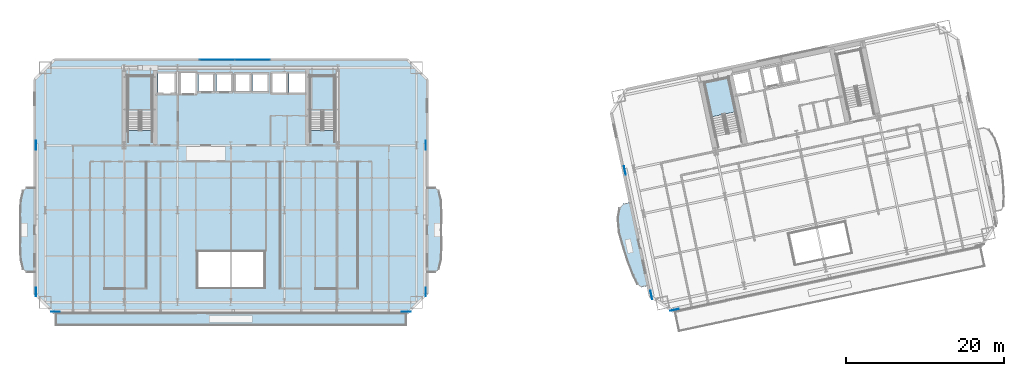
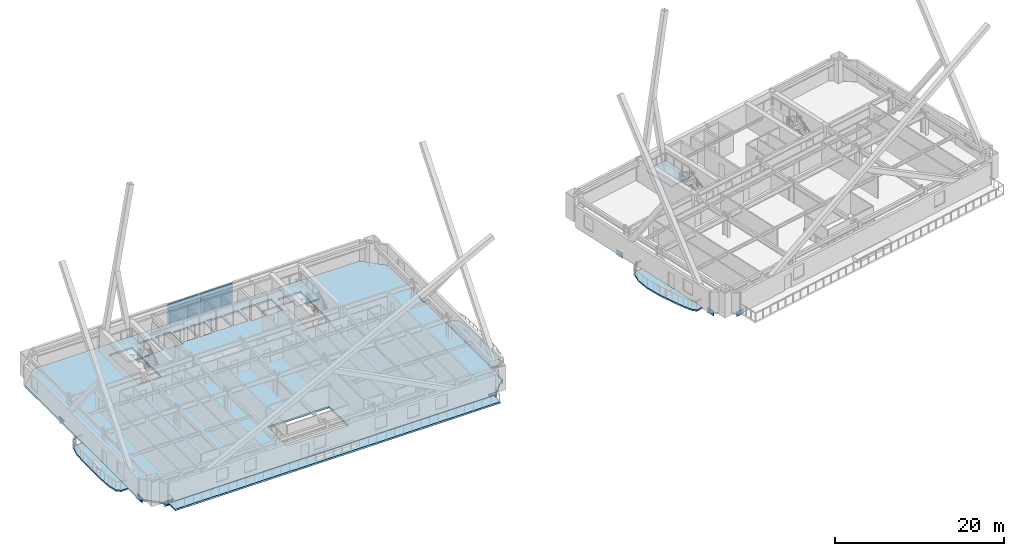
# One storey, part 8 of 22: 13 plates, 8 slabs, 4 elements without a shape of their own.
"""IFC4 building model written with IfcOpenShell, lengths in metres."""

from ifc_helpers import new_model, si_unit, direction, frame, origin, origin_2d, place, context, subcontext, project, spatial, polyline, rectangle, outline, extrude, material, layer, layer_set, type_object, element, aggregate, save


model = new_model("IFC4")

# Units and contexts
model_context = context("Model", 3, precision=1e-05, world=origin(), true_north=direction((0.0, 1.0)))
body_context = subcontext(model_context, "Body", "Model", "MODEL_VIEW")
ifc_project = project(units=[si_unit("LENGTHUNIT", "METRE"), si_unit("AREAUNIT", "SQUARE_METRE"), si_unit("VOLUMEUNIT", "CUBIC_METRE"), si_unit("PLANEANGLEUNIT", "RADIAN"), si_unit("MASSUNIT", "GRAM", prefix="KILO")], contexts=[model_context])

# Site, building, storey
site_placement = place(None, origin())
site = spatial("IfcSite", under=ifc_project, at=site_placement, CompositionType="ELEMENT")
building_placement = place(site_placement, origin())
building = spatial("IfcBuilding", under=site, at=building_placement, Name="Haevon Station Towers", CompositionType="ELEMENT")
storey_placement = place(building_placement, frame((0.0, 0.0, 70.199951171875)))
storey = spatial("IfcBuildingStorey", under=building, at=storey_placement, Name="L18", CompositionType="ELEMENT", Elevation=70.199951171875)

# Curtain wall, plates
ifc_material_1 = material(Name="Anodised aluminium and Low-E double glazing", Category="aluminium")
ifc_layer_1 = layer(ifc_material_1, 0.179931640625)
ifc_layer_set_1 = layer_set([ifc_layer_1], Name="Anodised aluminium and Low-E double glazing")
curtain_wall_type = type_object("IfcCurtainWallType", Name="CW-SYS4", PredefinedType="NOTDEFINED", material=ifc_layer_set_1)
curtain_wall_placement = place(storey_placement, origin())
curtain_wall = element("IfcCurtainWall", 1, at=curtain_wall_placement, inside=storey, type_object=curtain_wall_type, Name="L18 Curtain Wall CW-T1-L18-N", PredefinedType="NOTDEFINED")
ifc_material_2 = material(Name="Low-E double glazing", Category="glass")
ifc_layer_2 = layer(ifc_material_2, 0.028076171875)
ifc_layer_set_2 = layer_set([ifc_layer_2], Name="Low-E double glazing")
plate_type_1 = type_object("IfcPlateType", Name="CWP-GLZ28", PredefinedType="CURTAIN_PANEL", material=ifc_layer_set_2)
plate_1_placement = place(storey_placement, frame((35.766357421875, 49.0, 0.06005859375), z_axis=(0.0, 0.0, 1.0), x_axis=(1.0, 0.0, 0.0)))
plate_1 = element("IfcPlate", 2, at=plate_1_placement, type_object=plate_type_1, Name="CW-SYS4 panel 1.1", PredefinedType="CURTAIN_PANEL", context=body_context, shape_type="SweptSolid", body=[
    extrude(rectangle(XDim=4.402587890625, YDim=0.028076171875, at=origin_2d()), origin(), (0.0, 0.0, 1.0), 1.77001953125),
])
plate_2_placement = place(storey_placement, frame((35.766357421875, 49.0, 1.89013671875), z_axis=(0.0, 0.0, 1.0), x_axis=(1.0, 0.0, 0.0)))
plate_2 = element("IfcPlate", 3, at=plate_2_placement, type_object=plate_type_1, Name="CW-SYS4 panel 1.2", PredefinedType="CURTAIN_PANEL", context=body_context, shape_type="SweptSolid", body=[
    extrude(rectangle(XDim=4.402587890625, YDim=0.028076171875, at=origin_2d()), origin(), (0.0, 0.0, 1.0), 1.050048828125),
])
plate_3_placement = place(storey_placement, frame((40.233642578125, 49.0, 0.06005859375), z_axis=(0.0, 0.0, 1.0), x_axis=(1.0, 0.0, 0.0)))
plate_3 = element("IfcPlate", 4, at=plate_3_placement, type_object=plate_type_1, Name="CW-SYS4 panel 2.1", PredefinedType="CURTAIN_PANEL", context=body_context, shape_type="SweptSolid", body=[
    extrude(rectangle(XDim=4.402587890625, YDim=0.028076171875, at=origin_2d()), origin(), (0.0, 0.0, 1.0), 1.77001953125),
])
plate_4_placement = place(storey_placement, frame((40.233642578125, 49.0, 1.89013671875), z_axis=(0.0, 0.0, 1.0), x_axis=(1.0, 0.0, 0.0)))
plate_4 = element("IfcPlate", 5, at=plate_4_placement, type_object=plate_type_1, Name="CW-SYS4 panel 2.2", PredefinedType="CURTAIN_PANEL", context=body_context, shape_type="SweptSolid", body=[
    extrude(rectangle(XDim=4.402587890625, YDim=0.028076171875, at=origin_2d()), origin(), (0.0, 0.0, 1.0), 1.050048828125),
])
aggregate(curtain_wall, [plate_1, plate_2, plate_3, plate_4])

# Plates
ifc_material_3 = material(Name="PL-SPL1", Category="steel")
ifc_layer_3 = layer(ifc_material_3, 0.031982421875)
ifc_layer_set_3 = layer_set([ifc_layer_3], Name="PL-SPL1")
plate_type_2 = type_object("IfcPlateType", Name="PL-SPL1", PredefinedType="USERDEFINED", material=ifc_layer_set_3)
for number, where, z_axis, x_axis, name in (
    (6, (15.35009765625, 17.179931640625, -0.494873046875), (0.0, 0.0, 1.0), (1.0, 0.0, 0.0), "PL-T1SPL-T02-S-1"),
    (7, (59.64990234375, 17.179931640625, -0.494873046875), (0.0, 0.0, 1.0), (1.0, 0.0, 0.0), "PL-T1SPL-T02-S-2"),
    (8, (12.8798828125, 19.64990234375, -0.494873046875), (0.0, 0.0, 1.0), (0.0, 1.0, 0.0), "PL-T1SPL-T02-W-1"),
    (9, (12.8798828125, 38.199951171875, -0.494873046875), (0.0, 0.0, 1.0), (0.0, 1.0, 0.0), "PL-T1SPL-T02-W-2"),
    (10, (62.1201171875, 19.64990234375, -0.494873046875), (0.0, 0.0, 1.0), (0.0, 1.0, 0.0), "PL-T1SPL-T02-E-1"),
    (11, (62.1201171875, 38.199951171875, -0.494873046875), (0.0, 0.0, 1.0), (0.0, 1.0, 0.0), "PL-T1SPL-T02-E-2"),
    (12, (93.554931640625, 17.404052734375, -0.494873046875), (0.0, 0.0, 1.0), (0.978147600734, 0.207911690818, 0.0), "PL-T2SPL-T02-S-1"),
    (13, (90.62548828125, 19.306396484375, -0.494873046875), (0.0, 0.0, 1.0), (-0.207911690818, 0.978147600734, 0.0), "PL-T2SPL-T02-W-1"),
    (14, (87.28857421875, 35.005615234375, -0.494873046875), (0.0, 0.0, 1.0), (-0.207911690818, 0.978147600734, 0.0), "PL-T2SPL-T02-W-2"),
):
    element("IfcPlate", number, at=place(storey_placement, frame(where, z_axis=z_axis, x_axis=x_axis)), inside=storey, type_object=plate_type_2, Name=name, ObjectType="SPLICE_PLATE", PredefinedType="USERDEFINED", context=body_context, shape_type="SweptSolid", body=[
        extrude(rectangle(XDim=1.10009765625, YDim=0.031982421875, at=origin_2d()), origin(), (0.0, 0.0, 1.0), 0.75),
    ])

# Slabs
ifc_material_4 = material(Name="Concrete C40/50", Category="concrete")
ifc_layer_4 = layer(ifc_material_4, 0.219970703125)
ifc_layer_set_4 = layer_set([ifc_layer_4], Name="Concrete C40/50")
slab_type_1 = type_object("IfcSlabType", Name="SL-BALC220", PredefinedType="FLOOR", material=ifc_layer_set_4)
slab_1_placement = place(storey_placement, frame((0.0, 0.0, -0.219970703125)))
element("IfcSlab", 15, at=slab_1_placement, inside=storey, type_object=slab_type_1, Name="Tower 1 L18 West SCALLOPED BALCONY", PredefinedType="FLOOR", context=body_context, shape_type="SweptSolid", body=[
    extrude(outline(polyline([(12.695068359375, 32.89990234375), (11.70654296875, 32.89990234375), (11.231689453125, 32.489013671875), (10.95166015625, 31.318359375), (10.859130859375, 29.56640625), (10.8486328125, 27.5), (10.859130859375, 25.43359375), (10.95166015625, 23.681640625), (11.231689453125, 22.510986328125), (11.70654296875, 22.10009765625), (12.695068359375, 22.10009765625), (12.695068359375, 32.89990234375)])), origin(), (0.0, 0.0, 1.0), 0.219970703125),
])
slab_2_placement = place(storey_placement, frame((0.0, 0.0, -0.219970703125)))
element("IfcSlab", 16, at=slab_2_placement, inside=storey, type_object=slab_type_1, Name="Tower 1 L18 East SCALLOPED BALCONY", PredefinedType="FLOOR", context=body_context, shape_type="SweptSolid", body=[
    extrude(outline(polyline([(62.304931640625, 22.10009765625), (63.29345703125, 22.10009765625), (63.768310546875, 22.510986328125), (64.04833984375, 23.681640625), (64.140869140625, 25.43359375), (64.1513671875, 27.5), (64.140869140625, 29.56640625), (64.04833984375, 31.318359375), (63.768310546875, 32.489013671875), (63.29345703125, 32.89990234375), (62.304931640625, 32.89990234375), (62.304931640625, 22.10009765625)])), origin(), (0.0, 0.0, 1.0), 0.219970703125),
])
slab_3_placement = place(storey_placement, frame((0.0, 0.0, -0.219970703125)))
element("IfcSlab", 17, at=slab_3_placement, inside=storey, type_object=slab_type_1, Name="Tower 2 L18 West SCALLOPED BALCONY", PredefinedType="FLOOR", context=body_context, shape_type="SweptSolid", body=[
    extrude(outline(polyline([(87.949462890625, 31.005615234375), (87.0869140625, 30.822265625), (86.603759765625, 30.29931640625), (86.3671875, 29.052490234375), (86.511474609375, 27.2919921875), (87.01806640625, 25.287109375), (87.706298828125, 23.32080078125), (88.366943359375, 21.670166015625), (88.903564453125, 20.58740234375), (89.332275390625, 20.25830078125), (90.195068359375, 20.441650390625), (87.949462890625, 31.005615234375)])), origin(), (0.0, 0.0, 1.0), 0.219970703125),
])

# Stair, slab
stair_type = type_object("IfcStairType", Name="STR-DL1450", PredefinedType="USERDEFINED", material=ifc_material_4)
stair_1_placement = place(storey_placement, origin())
stair_1 = element("IfcStair", 18, at=stair_1_placement, inside=storey, type_object=stair_type, Name="L18 Escape Stair ST1", ObjectType="TWO_RETURN_STAIR", PredefinedType="USERDEFINED")
ifc_layer_5 = layer(ifc_material_4, 0.199951171875)
ifc_layer_set_5 = layer_set([ifc_layer_5], Name="Concrete C40/50")
slab_type_2 = type_object("IfcSlabType", Name="SL-LND200", PredefinedType="LANDING", material=ifc_layer_set_5)
slab_4_placement = place(storey_placement, frame((0.0, 0.0, 1.449951171875)))
slab_4 = element("IfcSlab", 19, at=slab_4_placement, type_object=slab_type_2, Name="L18 ST1 Half Landing 1", PredefinedType="LANDING", context=body_context, shape_type="SweptSolid", body=[
    extrude(outline(polyline([(27.580078125, 42.56396484375), (27.580078125, 47.0), (24.47998046875, 47.0), (24.47998046875, 42.56396484375), (27.580078125, 42.56396484375)])), origin(), (0.0, 0.0, 1.0), 0.2001953125),
])
aggregate(stair_1, [slab_4])

stair_2_placement = place(storey_placement, origin())
stair_2 = element("IfcStair", 20, at=stair_2_placement, inside=storey, type_object=stair_type, Name="L18 Escape Stair ST2", ObjectType="TWO_RETURN_STAIR", PredefinedType="USERDEFINED")
slab_5_placement = place(storey_placement, frame((0.0, 0.0, 1.449951171875)))
slab_5 = element("IfcSlab", 21, at=slab_5_placement, type_object=slab_type_2, Name="L18 ST2 Half Landing 1", PredefinedType="LANDING", context=body_context, shape_type="SweptSolid", body=[
    extrude(outline(polyline([(50.6201171875, 42.56396484375), (50.6201171875, 47.0), (47.52001953125, 47.0), (47.52001953125, 42.56396484375), (50.6201171875, 42.56396484375)])), origin(), (0.0, 0.0, 1.0), 0.2001953125),
])
aggregate(stair_2, [slab_5])

stair_3_placement = place(storey_placement, origin())
stair_3 = element("IfcStair", 22, at=stair_3_placement, inside=storey, type_object=stair_type, Name="L18 Escape Stair ST3", ObjectType="TWO_RETURN_STAIR", PredefinedType="USERDEFINED")
slab_6_placement = place(storey_placement, frame((0.0, 0.0, 1.449951171875)))
slab_6 = element("IfcSlab", 23, at=slab_6_placement, type_object=slab_type_2, Name="L18 ST3 Half Landing 1", PredefinedType="LANDING", context=body_context, shape_type="SweptSolid", body=[
    extrude(outline(polyline([(101.2880859375, 42.44287109375), (100.36572265625, 46.781982421875), (97.33349609375, 46.137451171875), (98.255859375, 41.79833984375), (101.2880859375, 42.44287109375)])), origin(), (0.0, 0.0, 1.0), 0.2001953125),
])
aggregate(stair_3, [slab_6])

# Slabs
ifc_layer_6 = layer(ifc_material_4, 0.25)
ifc_layer_set_6 = layer_set([ifc_layer_6], Name="Concrete C40/50")
slab_type_3 = type_object("IfcSlabType", Name="SL-TERR250", PredefinedType="FLOOR", material=ifc_layer_set_6)
slab_7_placement = place(storey_placement, frame((0.0, 0.0, -0.25)))
element("IfcSlab", 24, at=slab_7_placement, inside=storey, type_object=slab_type_3, Name="Tower 1 L18 Sky Garden Terrace", PredefinedType="FLOOR", context=body_context, shape_type="SweptSolid", body=[
    extrude(outline(polyline([(15.300048828125, 15.5), (59.699951171875, 15.5), (59.699951171875, 16.9951171875), (15.300048828125, 16.9951171875), (15.300048828125, 15.5)])), origin(), (0.0, 0.0, 1.0), 0.25),
])
ifc_layer_7 = layer(ifc_material_4, 0.25)
ifc_layer_set_7 = layer_set([ifc_layer_7], Name="Concrete C40/50")
slab_type_4 = type_object("IfcSlabType", Name="SL-TW250", PredefinedType="FLOOR", material=ifc_layer_set_7)
slab_8_placement = place(storey_placement, frame((0.0, 0.0, -0.25)))
element("IfcSlab", 25, at=slab_8_placement, inside=storey, type_object=slab_type_4, Name="SL-T1-L18", PredefinedType="FLOOR", context=body_context, shape_type="SweptSolid", body=[
    extrude(outline(polyline([(15.199951171875, 17.0), (59.800048828125, 17.0), (62.300048828125, 19.5), (62.300048828125, 46.5), (59.800048828125, 49.0), (15.199951171875, 49.0), (12.699951171875, 46.5), (12.699951171875, 19.5), (15.199951171875, 17.0)]), holes=[polyline([(27.580078125, 40.055908203125), (27.580078125, 47.0), (24.47998046875, 47.0), (24.47998046875, 40.055908203125), (27.580078125, 40.055908203125)]), polyline([(50.6201171875, 40.055908203125), (50.6201171875, 47.0), (47.52001953125, 47.0), (47.52001953125, 40.055908203125), (50.6201171875, 40.055908203125)]), polyline([(28.300048828125, 44.699951171875), (30.5, 44.699951171875), (30.5, 47.39990234375), (28.300048828125, 47.39990234375), (28.300048828125, 44.699951171875)]), polyline([(31.050048828125, 44.60009765625), (33.14990234375, 44.60009765625), (33.14990234375, 47.5), (31.050048828125, 47.5), (31.050048828125, 44.60009765625)]), polyline([(33.39990234375, 44.89990234375), (35.39990234375, 44.89990234375), (35.39990234375, 47.300048828125), (33.39990234375, 47.300048828125), (33.39990234375, 44.89990234375)]), polyline([(35.64990234375, 44.89990234375), (37.64990234375, 44.89990234375), (37.64990234375, 47.300048828125), (35.64990234375, 47.300048828125), (35.64990234375, 44.89990234375)]), polyline([(38.0, 44.89990234375), (40.0, 44.89990234375), (40.0, 47.300048828125), (38.0, 47.300048828125), (38.0, 44.89990234375)]), polyline([(40.25, 44.89990234375), (42.25, 44.89990234375), (42.25, 47.300048828125), (40.25, 47.300048828125), (40.25, 44.89990234375)]), polyline([(42.60009765625, 44.699951171875), (44.60009765625, 44.699951171875), (44.60009765625, 47.39990234375), (42.60009765625, 47.39990234375), (42.60009765625, 44.699951171875)]), polyline([(44.85009765625, 44.699951171875), (46.85009765625, 44.699951171875), (46.85009765625, 47.39990234375), (44.85009765625, 47.39990234375), (44.85009765625, 44.699951171875)]), polyline([(33.300048828125, 20.199951171875), (41.699951171875, 20.199951171875), (41.699951171875, 24.800048828125), (33.300048828125, 24.800048828125), (33.300048828125, 20.199951171875)])]), origin(), (0.0, 0.0, 1.0), 0.25),
])

save(model, "model.ifc")
